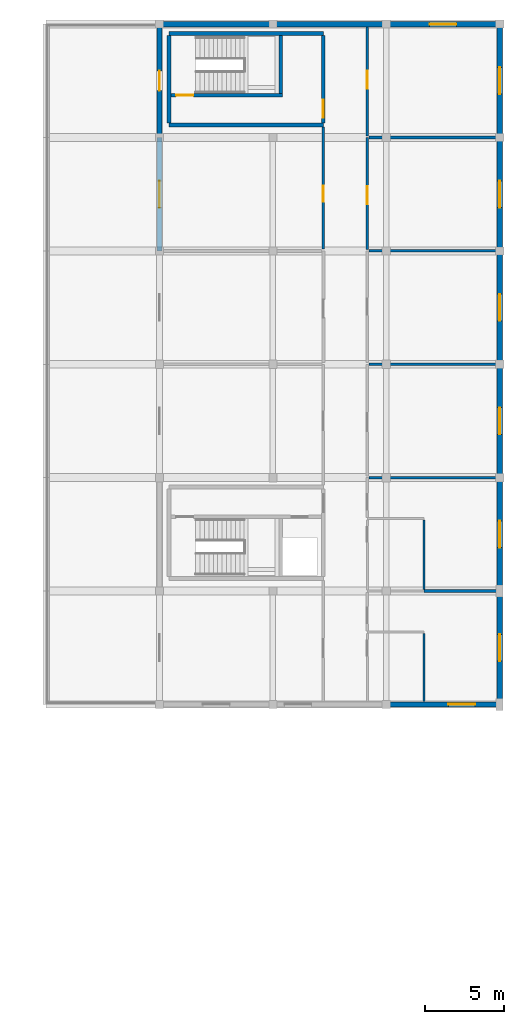
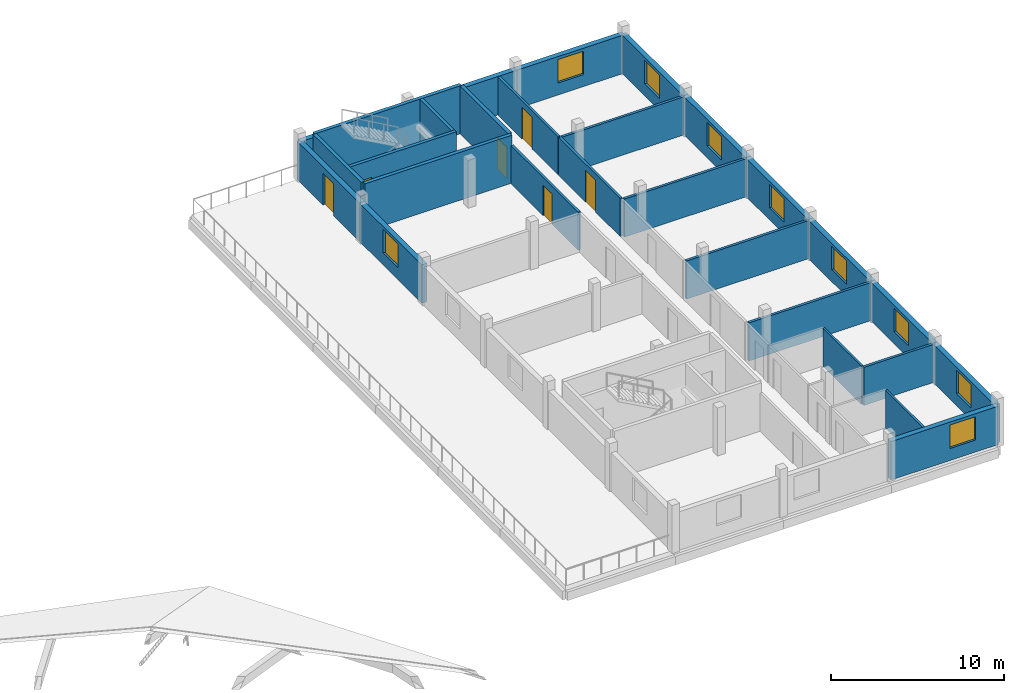
# One storey, part 60 of 66: 28 walls, 9 windows, 6 doors, 15 openings.
"""IFC4 building model written with IfcOpenShell, lengths in metres."""

from ifc_helpers import new_model, si_unit, direction, frame, frame_2d, origin, place, context, subcontext, project, spatial, rectangle, extrude, material, layer, layer_set, type_object, element, fill, save


model = new_model("IFC4")

# Units and contexts
model_context = context("Model", 3, precision=1e-05, world=origin(), true_north=direction((0.0, 1.0)))
body_context = subcontext(model_context, "Body", "Model", "MODEL_VIEW")
ifc_project = project(units=[si_unit("LENGTHUNIT", "METRE"), si_unit("AREAUNIT", "SQUARE_METRE"), si_unit("VOLUMEUNIT", "CUBIC_METRE"), si_unit("PLANEANGLEUNIT", "RADIAN"), si_unit("MASSUNIT", "GRAM", prefix="KILO")], contexts=[model_context])

# Site, building, storey
site_placement = place(None, origin())
site = spatial("IfcSite", under=ifc_project, at=site_placement, CompositionType="ELEMENT")
building_placement = place(site_placement, origin())
building = spatial("IfcBuilding", under=site, at=building_placement, Name="Zornivar Specialist Clinic", CompositionType="ELEMENT")
storey_placement = place(building_placement, frame((0.0, 0.0, 16.0)))
storey = spatial("IfcBuildingStorey", under=building, at=storey_placement, Name="L04", CompositionType="ELEMENT", Elevation=16.0)

# Wall, opening, window
ifc_material_1 = material(Name="Masonry Laboratory Terracotta and Stone Cavity Wall", Category="masonry")
ifc_layer_1 = layer(ifc_material_1, 0.340087890625)
ifc_layer_set_1 = layer_set([ifc_layer_1], Name="Masonry Laboratory Terracotta and Stone Cavity Wall")
wall_type_1 = type_object("IfcWallType", Name="EW-LAB-340", PredefinedType="SOLIDWALL", material=ifc_layer_set_1)
wall_1_placement = place(storey_placement, frame((158.39990234375, 64.800048828125, 0.0), z_axis=(0.0, 0.0, 1.0), x_axis=(1.0, 0.0, 0.0)))
wall_1 = element("IfcWall", 1, at=wall_1_placement, inside=storey, type_object=wall_type_1, Name="ew:V6:L04:02", PredefinedType="SOLIDWALL", context=body_context, shape_type="SweptSolid", body=[
    extrude(rectangle(XDim=7.2001953125, YDim=0.340087890625, at=frame_2d((3.60009765625, 0.0))), origin(), (0.0, 0.0, 1.0), 2.7099609375),
])
opening_1_placement = place(wall_1_placement, frame((3.949951171875, 0.0, 0.85009765625)))
opening_1 = element("IfcOpeningElement", 2, at=opening_1_placement, cuts=wall_1, Name="Opening W-21", PredefinedType="OPENING", context=body_context, shape_type="SweptSolid", body=[
    extrude(rectangle(XDim=1.699951171875, YDim=1.64990234375, at=frame_2d((0.85009765625, 0.824951171875))), frame((0.0, 0.179931640625, 0.0), z_axis=(0.0, -1.0, 0.0), x_axis=(1.0, 0.0, 0.0)), (0.0, 0.0, 1.0), 0.360107421875),
])
ifc_material_2 = material(Name="Triple-Glazed Aluminium-Timber Window Glass", Category="wood")
window_type = type_object("IfcWindowType", Name="WIN-LAB-UPPER-1700x1650", PartitioningType="SINGLE_PANEL", PredefinedType="WINDOW", material=ifc_material_2)
window_1_placement = place(opening_1_placement, origin())
window_1 = element("IfcWindow", 3, at=window_1_placement, inside=storey, type_object=window_type, Name="win:V6:L04:02", OverallHeight=1.64990234375, OverallWidth=1.699951171875, PartitioningType="SINGLE_PANEL", PredefinedType="WINDOW", context=body_context, shape_type="SweptSolid", body=[
    extrude(rectangle(XDim=1.699951171875, YDim=1.64990234375, at=frame_2d((0.85009765625, 0.824951171875))), frame((0.0, 0.030029296875, 0.0), z_axis=(0.0, -1.0, 0.0), x_axis=(1.0, 0.0, 0.0)), (0.0, 0.0, 1.0), 0.06005859375),
])
fill(opening_1, window_1)

wall_2_placement = place(storey_placement, frame((165.60009765625, 64.800048828125, 0.0), z_axis=(0.0, 0.0, 1.0), x_axis=(0.0, 1.0, 0.0)))
wall_2 = element("IfcWall", 4, at=wall_2_placement, inside=storey, type_object=wall_type_1, Name="ew:V6:L04:03", PredefinedType="SOLIDWALL", context=body_context, shape_type="SweptSolid", body=[
    extrude(rectangle(XDim=7.199951171875, YDim=0.340087890625, at=frame_2d((3.60009765625, 0.0))), origin(), (0.0, 0.0, 1.0), 2.7099609375),
])
opening_2_placement = place(wall_2_placement, frame((2.75, 0.0, 0.85009765625)))
opening_2 = element("IfcOpeningElement", 5, at=opening_2_placement, cuts=wall_2, Name="Opening W-21", PredefinedType="OPENING", context=body_context, shape_type="SweptSolid", body=[
    extrude(rectangle(XDim=1.699951171875, YDim=1.64990234375, at=frame_2d((0.85009765625, 0.824951171875))), frame((0.0, 0.179931640625, 0.0), z_axis=(0.0, -1.0, 0.0), x_axis=(1.0, 0.0, 0.0)), (0.0, 0.0, 1.0), 0.360107421875),
])
window_2_placement = place(opening_2_placement, origin())
window_2 = element("IfcWindow", 6, at=window_2_placement, inside=storey, type_object=window_type, Name="win:V6:L04:03", OverallHeight=1.64990234375, OverallWidth=1.699951171875, PartitioningType="SINGLE_PANEL", PredefinedType="WINDOW", context=body_context, shape_type="SweptSolid", body=[
    extrude(rectangle(XDim=1.699951171875, YDim=1.64990234375, at=frame_2d((0.85009765625, 0.824951171875))), frame((0.0, 0.030029296875, 0.0), z_axis=(0.0, -1.0, 0.0), x_axis=(1.0, 0.0, 0.0)), (0.0, 0.0, 1.0), 0.06005859375),
])
fill(opening_2, window_2)

wall_3_placement = place(storey_placement, frame((165.60009765625, 72.0, 0.0), z_axis=(0.0, 0.0, 1.0), x_axis=(0.0, 1.0, 0.0)))
wall_3 = element("IfcWall", 7, at=wall_3_placement, inside=storey, type_object=wall_type_1, Name="ew:V6:L04:04", PredefinedType="SOLIDWALL", context=body_context, shape_type="SweptSolid", body=[
    extrude(rectangle(XDim=7.199951171875, YDim=0.340087890625, at=frame_2d((3.60009765625, 0.0))), origin(), (0.0, 0.0, 1.0), 2.7099609375),
])
opening_3_placement = place(wall_3_placement, frame((2.75, 0.0, 0.85009765625)))
opening_3 = element("IfcOpeningElement", 8, at=opening_3_placement, cuts=wall_3, Name="Opening W-21", PredefinedType="OPENING", context=body_context, shape_type="SweptSolid", body=[
    extrude(rectangle(XDim=1.699951171875, YDim=1.64990234375, at=frame_2d((0.85009765625, 0.824951171875))), frame((0.0, 0.179931640625, 0.0), z_axis=(0.0, -1.0, 0.0), x_axis=(1.0, 0.0, 0.0)), (0.0, 0.0, 1.0), 0.360107421875),
])
window_3_placement = place(opening_3_placement, origin())
window_3 = element("IfcWindow", 9, at=window_3_placement, inside=storey, type_object=window_type, Name="win:V6:L04:04", OverallHeight=1.64990234375, OverallWidth=1.699951171875, PartitioningType="SINGLE_PANEL", PredefinedType="WINDOW", context=body_context, shape_type="SweptSolid", body=[
    extrude(rectangle(XDim=1.699951171875, YDim=1.64990234375, at=frame_2d((0.85009765625, 0.824951171875))), frame((0.0, 0.030029296875, 0.0), z_axis=(0.0, -1.0, 0.0), x_axis=(1.0, 0.0, 0.0)), (0.0, 0.0, 1.0), 0.06005859375),
])
fill(opening_3, window_3)

wall_4_placement = place(storey_placement, frame((165.60009765625, 79.199951171875, 0.0), z_axis=(0.0, 0.0, 1.0), x_axis=(0.0, 1.0, 0.0)))
wall_4 = element("IfcWall", 10, at=wall_4_placement, inside=storey, type_object=wall_type_1, Name="ew:V6:L04:05", PredefinedType="SOLIDWALL", context=body_context, shape_type="SweptSolid", body=[
    extrude(rectangle(XDim=7.199951171875, YDim=0.340087890625, at=frame_2d((3.60009765625, 0.0))), origin(), (0.0, 0.0, 1.0), 2.7099609375),
])
opening_4_placement = place(wall_4_placement, frame((2.75, 0.0, 0.85009765625)))
opening_4 = element("IfcOpeningElement", 11, at=opening_4_placement, cuts=wall_4, Name="Opening W-21", PredefinedType="OPENING", context=body_context, shape_type="SweptSolid", body=[
    extrude(rectangle(XDim=1.699951171875, YDim=1.64990234375, at=frame_2d((0.85009765625, 0.824951171875))), frame((0.0, 0.179931640625, 0.0), z_axis=(0.0, -1.0, 0.0), x_axis=(1.0, 0.0, 0.0)), (0.0, 0.0, 1.0), 0.360107421875),
])
window_4_placement = place(opening_4_placement, origin())
window_4 = element("IfcWindow", 12, at=window_4_placement, inside=storey, type_object=window_type, Name="win:V6:L04:05", OverallHeight=1.64990234375, OverallWidth=1.699951171875, PartitioningType="SINGLE_PANEL", PredefinedType="WINDOW", context=body_context, shape_type="SweptSolid", body=[
    extrude(rectangle(XDim=1.699951171875, YDim=1.64990234375, at=frame_2d((0.85009765625, 0.824951171875))), frame((0.0, 0.030029296875, 0.0), z_axis=(0.0, -1.0, 0.0), x_axis=(1.0, 0.0, 0.0)), (0.0, 0.0, 1.0), 0.06005859375),
])
fill(opening_4, window_4)

wall_5_placement = place(storey_placement, frame((165.60009765625, 86.39990234375, 0.0), z_axis=(0.0, 0.0, 1.0), x_axis=(0.0, 1.0, 0.0)))
wall_5 = element("IfcWall", 13, at=wall_5_placement, inside=storey, type_object=wall_type_1, Name="ew:V6:L04:06", PredefinedType="SOLIDWALL", context=body_context, shape_type="SweptSolid", body=[
    extrude(rectangle(XDim=7.2001953125, YDim=0.340087890625, at=frame_2d((3.60009765625, 0.0))), origin(), (0.0, 0.0, 1.0), 2.7099609375),
])
opening_5_placement = place(wall_5_placement, frame((2.75, 0.0, 0.85009765625)))
opening_5 = element("IfcOpeningElement", 14, at=opening_5_placement, cuts=wall_5, Name="Opening W-21", PredefinedType="OPENING", context=body_context, shape_type="SweptSolid", body=[
    extrude(rectangle(XDim=1.699951171875, YDim=1.64990234375, at=frame_2d((0.85009765625, 0.824951171875))), frame((0.0, 0.179931640625, 0.0), z_axis=(0.0, -1.0, 0.0), x_axis=(1.0, 0.0, 0.0)), (0.0, 0.0, 1.0), 0.360107421875),
])
window_5_placement = place(opening_5_placement, origin())
window_5 = element("IfcWindow", 15, at=window_5_placement, inside=storey, type_object=window_type, Name="win:V6:L04:06", OverallHeight=1.64990234375, OverallWidth=1.699951171875, PartitioningType="SINGLE_PANEL", PredefinedType="WINDOW", context=body_context, shape_type="SweptSolid", body=[
    extrude(rectangle(XDim=1.699951171875, YDim=1.64990234375, at=frame_2d((0.85009765625, 0.824951171875))), frame((0.0, 0.030029296875, 0.0), z_axis=(0.0, -1.0, 0.0), x_axis=(1.0, 0.0, 0.0)), (0.0, 0.0, 1.0), 0.06005859375),
])
fill(opening_5, window_5)

wall_6_placement = place(storey_placement, frame((165.60009765625, 93.60009765625, 0.0), z_axis=(0.0, 0.0, 1.0), x_axis=(0.0, 1.0, 0.0)))
wall_6 = element("IfcWall", 16, at=wall_6_placement, inside=storey, type_object=wall_type_1, Name="ew:V6:L04:07", PredefinedType="SOLIDWALL", context=body_context, shape_type="SweptSolid", body=[
    extrude(rectangle(XDim=7.199951171875, YDim=0.340087890625, at=frame_2d((3.60009765625, 0.0))), origin(), (0.0, 0.0, 1.0), 2.7099609375),
])
opening_6_placement = place(wall_6_placement, frame((2.75, 0.0, 0.85009765625)))
opening_6 = element("IfcOpeningElement", 17, at=opening_6_placement, cuts=wall_6, Name="Opening W-21", PredefinedType="OPENING", context=body_context, shape_type="SweptSolid", body=[
    extrude(rectangle(XDim=1.699951171875, YDim=1.64990234375, at=frame_2d((0.85009765625, 0.824951171875))), frame((0.0, 0.179931640625, 0.0), z_axis=(0.0, -1.0, 0.0), x_axis=(1.0, 0.0, 0.0)), (0.0, 0.0, 1.0), 0.360107421875),
])
window_6_placement = place(opening_6_placement, origin())
window_6 = element("IfcWindow", 18, at=window_6_placement, inside=storey, type_object=window_type, Name="win:V6:L04:07", OverallHeight=1.64990234375, OverallWidth=1.699951171875, PartitioningType="SINGLE_PANEL", PredefinedType="WINDOW", context=body_context, shape_type="SweptSolid", body=[
    extrude(rectangle(XDim=1.699951171875, YDim=1.64990234375, at=frame_2d((0.85009765625, 0.824951171875))), frame((0.0, 0.030029296875, 0.0), z_axis=(0.0, -1.0, 0.0), x_axis=(1.0, 0.0, 0.0)), (0.0, 0.0, 1.0), 0.06005859375),
])
fill(opening_6, window_6)

wall_7_placement = place(storey_placement, frame((165.60009765625, 100.800048828125, 0.0), z_axis=(0.0, 0.0, 1.0), x_axis=(0.0, 1.0, 0.0)))
wall_7 = element("IfcWall", 19, at=wall_7_placement, inside=storey, type_object=wall_type_1, Name="ew:V6:L04:08", PredefinedType="SOLIDWALL", context=body_context, shape_type="SweptSolid", body=[
    extrude(rectangle(XDim=7.199951171875, YDim=0.340087890625, at=frame_2d((3.60009765625, 0.0))), origin(), (0.0, 0.0, 1.0), 2.7099609375),
])
opening_7_placement = place(wall_7_placement, frame((2.75, 0.0, 0.85009765625)))
opening_7 = element("IfcOpeningElement", 20, at=opening_7_placement, cuts=wall_7, Name="Opening W-21", PredefinedType="OPENING", context=body_context, shape_type="SweptSolid", body=[
    extrude(rectangle(XDim=1.699951171875, YDim=1.64990234375, at=frame_2d((0.85009765625, 0.824951171875))), frame((0.0, 0.179931640625, 0.0), z_axis=(0.0, -1.0, 0.0), x_axis=(1.0, 0.0, 0.0)), (0.0, 0.0, 1.0), 0.360107421875),
])
window_7_placement = place(opening_7_placement, origin())
window_7 = element("IfcWindow", 21, at=window_7_placement, inside=storey, type_object=window_type, Name="win:V6:L04:08", OverallHeight=1.64990234375, OverallWidth=1.699951171875, PartitioningType="SINGLE_PANEL", PredefinedType="WINDOW", context=body_context, shape_type="SweptSolid", body=[
    extrude(rectangle(XDim=1.699951171875, YDim=1.64990234375, at=frame_2d((0.85009765625, 0.824951171875))), frame((0.0, 0.030029296875, 0.0), z_axis=(0.0, -1.0, 0.0), x_axis=(1.0, 0.0, 0.0)), (0.0, 0.0, 1.0), 0.06005859375),
])
fill(opening_7, window_7)

wall_8_placement = place(storey_placement, frame((165.60009765625, 108.0, 0.0), z_axis=(0.0, 0.0, 1.0), x_axis=(-1.0, 0.0, 0.0)))
wall_8 = element("IfcWall", 22, at=wall_8_placement, inside=storey, type_object=wall_type_1, Name="ew:V6:L04:09", PredefinedType="SOLIDWALL", context=body_context, shape_type="SweptSolid", body=[
    extrude(rectangle(XDim=7.2001953125, YDim=0.340087890625, at=frame_2d((3.60009765625, 0.0))), origin(), (0.0, 0.0, 1.0), 2.7099609375),
])
opening_8_placement = place(wall_8_placement, frame((2.75, 0.0, 0.85009765625)))
opening_8 = element("IfcOpeningElement", 23, at=opening_8_placement, cuts=wall_8, Name="Opening W-21", PredefinedType="OPENING", context=body_context, shape_type="SweptSolid", body=[
    extrude(rectangle(XDim=1.699951171875, YDim=1.64990234375, at=frame_2d((0.85009765625, 0.824951171875))), frame((0.0, 0.179931640625, 0.0), z_axis=(0.0, -1.0, 0.0), x_axis=(1.0, 0.0, 0.0)), (0.0, 0.0, 1.0), 0.360107421875),
])
window_8_placement = place(opening_8_placement, origin())
window_8 = element("IfcWindow", 24, at=window_8_placement, inside=storey, type_object=window_type, Name="win:V6:L04:09", OverallHeight=1.64990234375, OverallWidth=1.699951171875, PartitioningType="SINGLE_PANEL", PredefinedType="WINDOW", context=body_context, shape_type="SweptSolid", body=[
    extrude(rectangle(XDim=1.699951171875, YDim=1.64990234375, at=frame_2d((0.85009765625, 0.824951171875))), frame((0.0, 0.030029296875, 0.0), z_axis=(0.0, -1.0, 0.0), x_axis=(1.0, 0.0, 0.0)), (0.0, 0.0, 1.0), 0.06005859375),
])
fill(opening_8, window_8)

# Walls
for number, where, z_axis, x_axis, name in (
    (25, (158.39990234375, 108.0, 0.0), (0.0, 0.0, 1.0), (-1.0, 0.0, 0.0), "ew:V6:L04:10"),
    (26, (151.199951171875, 108.0, 0.0), (0.0, 0.0, 1.0), (-1.0, 0.0, 0.0), "ew:V6:L04:11"),
):
    element("IfcWall", number, at=place(storey_placement, frame(where, z_axis=z_axis, x_axis=x_axis)), inside=storey, type_object=wall_type_1, Name=name, PredefinedType="SOLIDWALL", context=body_context, shape_type="SweptSolid", body=[
        extrude(rectangle(XDim=7.199951171875, YDim=0.340087890625, at=frame_2d((3.60009765625, 0.0))), origin(), (0.0, 0.0, 1.0), 2.7099609375),
    ])

# Wall, opening, door
wall_9_placement = place(storey_placement, frame((144.0, 108.0, 0.0), z_axis=(0.0, 0.0, 1.0), x_axis=(0.0, -1.0, 0.0)))
wall_9 = element("IfcWall", 27, at=wall_9_placement, inside=storey, type_object=wall_type_1, Name="ew:V6:L04:12", PredefinedType="SOLIDWALL", context=body_context, shape_type="SweptSolid", body=[
    extrude(rectangle(XDim=7.199951171875, YDim=0.340087890625, at=frame_2d((3.60009765625, 0.0))), origin(), (0.0, 0.0, 1.0), 2.7099609375),
])
opening_9_placement = place(wall_9_placement, frame((2.97509765625, 0.0, 0.0)))
opening_9 = element("IfcOpeningElement", 28, at=opening_9_placement, cuts=wall_9, Name="Opening TD-02", PredefinedType="OPENING", context=body_context, shape_type="SweptSolid", body=[
    extrude(rectangle(XDim=1.25, YDim=2.25, at=frame_2d((0.625, 1.125))), frame((0.0, 0.179931640625, 0.0), z_axis=(0.0, -1.0, 0.0), x_axis=(1.0, 0.0, 0.0)), (0.0, 0.0, 1.0), 0.360107421875),
])
ifc_material_3 = material(Name="Thermally Broken Glazed Aluminium Door", Category="aluminium")
door_type_1 = type_object("IfcDoorType", Name="TD-TERR-1250x2250", OperationType="NOTDEFINED", PredefinedType="DOOR", material=ifc_material_3)
door_1_placement = place(opening_9_placement, origin())
door_1 = element("IfcDoor", 29, at=door_1_placement, inside=storey, type_object=door_type_1, Name="door:V6:L04:terr:0", OperationType="SINGLE_SWING_RIGHT", OverallHeight=2.25, OverallWidth=1.25, PredefinedType="DOOR", context=body_context, shape_type="SweptSolid", body=[
    extrude(rectangle(XDim=1.25, YDim=2.25, at=frame_2d((0.625, 1.125))), frame((0.0, 0.02490234375, 0.0), z_axis=(0.0, -1.0, 0.0), x_axis=(1.0, 0.0, 0.0)), (0.0, 0.0, 1.0), 0.050048828125),
])
fill(opening_9, door_1)

# Wall, opening, window
wall_10_placement = place(storey_placement, frame((144.0, 100.800048828125, 0.0), z_axis=(0.0, 0.0, 1.0), x_axis=(0.0, -1.0, 0.0)))
wall_10 = element("IfcWall", 30, at=wall_10_placement, inside=storey, type_object=wall_type_1, Name="ew:V6:L04:13", PredefinedType="SOLIDWALL", context=body_context, shape_type="SweptSolid", body=[
    extrude(rectangle(XDim=7.199951171875, YDim=0.340087890625, at=frame_2d((3.60009765625, 0.0))), origin(), (0.0, 0.0, 1.0), 2.7099609375),
])
opening_10_placement = place(wall_10_placement, frame((2.75, 0.0, 0.85009765625)))
opening_10 = element("IfcOpeningElement", 31, at=opening_10_placement, cuts=wall_10, Name="Opening W-21", PredefinedType="OPENING", context=body_context, shape_type="SweptSolid", body=[
    extrude(rectangle(XDim=1.699951171875, YDim=1.64990234375, at=frame_2d((0.85009765625, 0.824951171875))), frame((0.0, 0.179931640625, 0.0), z_axis=(0.0, -1.0, 0.0), x_axis=(1.0, 0.0, 0.0)), (0.0, 0.0, 1.0), 0.360107421875),
])
window_9_placement = place(opening_10_placement, origin())
window_9 = element("IfcWindow", 32, at=window_9_placement, inside=storey, type_object=window_type, Name="win:V6:L04:13", OverallHeight=1.64990234375, OverallWidth=1.699951171875, PartitioningType="SINGLE_PANEL", PredefinedType="WINDOW", context=body_context, shape_type="SweptSolid", body=[
    extrude(rectangle(XDim=1.699951171875, YDim=1.64990234375, at=frame_2d((0.85009765625, 0.824951171875))), frame((0.0, 0.030029296875, 0.0), z_axis=(0.0, -1.0, 0.0), x_axis=(1.0, 0.0, 0.0)), (0.0, 0.0, 1.0), 0.06005859375),
])
fill(opening_10, window_9)

# Wall, opening, door
ifc_material_4 = material(Name="Gypsum Fire-Rated Double Stud Partition")
ifc_layer_2 = layer(ifc_material_4, 0.159912109375)
ifc_layer_set_2 = layer_set([ifc_layer_2], Name="Gypsum Fire-Rated Double Stud Partition")
wall_type_2 = type_object("IfcWallType", Name="IW-CORR-EI60-160", PredefinedType="PARTITIONING", material=ifc_layer_set_2)
wall_11_placement = place(storey_placement, frame((154.39990234375, 101.465087890625, 0.0), z_axis=(0.0, 0.0, 1.0), x_axis=(0.0, -1.0, 0.0)))
wall_11 = element("IfcWall", 33, at=wall_11_placement, inside=storey, type_object=wall_type_2, Name="iw:L04:059", PredefinedType="PARTITIONING", context=body_context, shape_type="SweptSolid", body=[
    extrude(rectangle(XDim=7.756103515625, YDim=0.159912109375, at=frame_2d((3.8779296875, 0.0))), origin(), (0.0, 0.0, 1.0), 2.68994140625),
])
opening_11_placement = place(wall_11_placement, frame((3.715087890625, 0.0, 0.0)))
opening_11 = element("IfcOpeningElement", 34, at=opening_11_placement, cuts=wall_11, Name="Opening ID-14", PredefinedType="OPENING", context=body_context, shape_type="SweptSolid", body=[
    extrude(rectangle(XDim=1.02001953125, YDim=2.14990234375, at=frame_2d((0.510009765625, 1.074951171875))), frame((0.0, 0.08984375, 0.0), z_axis=(0.0, -1.0, 0.0), x_axis=(1.0, 0.0, 0.0)), (0.0, 0.0, 1.0), 0.179931640625),
])
ifc_material_5 = material(Name="Solid-Core Hygienic Laminate Timber Door", Category="wood")
door_type_2 = type_object("IfcDoorType", Name="ID-OFFICE-1020x2150", OperationType="NOTDEFINED", PredefinedType="DOOR", material=ifc_material_5)
door_2_placement = place(opening_11_placement, origin())
door_2 = element("IfcDoor", 35, at=door_2_placement, inside=storey, type_object=door_type_2, Name="door:space:V6:L04:rm:03", OperationType="SINGLE_SWING_RIGHT", OverallHeight=2.14990234375, OverallWidth=1.02001953125, PredefinedType="DOOR", context=body_context, shape_type="SweptSolid", body=[
    extrude(rectangle(XDim=1.02001953125, YDim=2.14990234375, at=frame_2d((0.510009765625, 1.074951171875))), frame((0.0, 0.02490234375, 0.0), z_axis=(0.0, -1.0, 0.0), x_axis=(1.0, 0.0, 0.0)), (0.0, 0.0, 1.0), 0.050048828125),
])
fill(opening_11, door_2)

wall_12_placement = place(storey_placement, frame((157.199951171875, 93.698974609375, 0.0), z_axis=(0.0, 0.0, 1.0), x_axis=(0.0, 1.0, 0.0)))
wall_12 = element("IfcWall", 36, at=wall_12_placement, inside=storey, type_object=wall_type_2, Name="iw:L04:075", PredefinedType="PARTITIONING", context=body_context, shape_type="SweptSolid", body=[
    extrude(rectangle(XDim=7.10107421875, YDim=0.159912109375, at=frame_2d((3.550537109375, 0.0))), origin(), (0.0, 0.0, 1.0), 2.68994140625),
])
opening_12_placement = place(wall_12_placement, frame((2.85693359375, 0.0, 0.0)))
opening_12 = element("IfcOpeningElement", 37, at=opening_12_placement, cuts=wall_12, Name="Opening ID-06", PredefinedType="OPENING", context=body_context, shape_type="SweptSolid", body=[
    extrude(rectangle(XDim=1.14990234375, YDim=2.25, at=frame_2d((0.574951171875, 1.125))), frame((0.0, 0.08984375, 0.0), z_axis=(0.0, -1.0, 0.0), x_axis=(1.0, 0.0, 0.0)), (0.0, 0.0, 1.0), 0.179931640625),
])
ifc_material_6 = material(Name="Solid-Core Hygienic Laminate Timber Door", Category="wood")
door_type_3 = type_object("IfcDoorType", Name="ID-LAB-1150x2250", OperationType="NOTDEFINED", PredefinedType="DOOR", material=ifc_material_6)
door_3_placement = place(opening_12_placement, origin())
door_3 = element("IfcDoor", 38, at=door_3_placement, inside=storey, type_object=door_type_3, Name="door:space:V6:L04:rm:10", OperationType="SINGLE_SWING_LEFT", OverallHeight=2.25, OverallWidth=1.14990234375, PredefinedType="DOOR", context=body_context, shape_type="SweptSolid", body=[
    extrude(rectangle(XDim=1.14990234375, YDim=2.25, at=frame_2d((0.574951171875, 1.125))), frame((0.0, 0.02490234375, 0.0), z_axis=(0.0, -1.0, 0.0), x_axis=(1.0, 0.0, 0.0)), (0.0, 0.0, 1.0), 0.050048828125),
])
fill(opening_12, door_3)

wall_13_placement = place(storey_placement, frame((157.199951171875, 100.89892578125, 0.0), z_axis=(0.0, 0.0, 1.0), x_axis=(0.0, 1.0, 0.0)))
wall_13 = element("IfcWall", 39, at=wall_13_placement, inside=storey, type_object=wall_type_2, Name="iw:L04:077", PredefinedType="PARTITIONING", context=body_context, shape_type="SweptSolid", body=[
    extrude(rectangle(XDim=6.916015625, YDim=0.159912109375, at=frame_2d((3.4580078125, 0.0))), origin(), (0.0, 0.0, 1.0), 2.68994140625),
])
opening_13_placement = place(wall_13_placement, frame((2.9970703125, 0.0, 0.0)))
opening_13 = element("IfcOpeningElement", 40, at=opening_13_placement, cuts=wall_13, Name="Opening ID-06", PredefinedType="OPENING", context=body_context, shape_type="SweptSolid", body=[
    extrude(rectangle(XDim=1.14990234375, YDim=2.25, at=frame_2d((0.574951171875, 1.125))), frame((0.0, 0.08984375, 0.0), z_axis=(0.0, -1.0, 0.0), x_axis=(1.0, 0.0, 0.0)), (0.0, 0.0, 1.0), 0.179931640625),
])
door_4_placement = place(opening_13_placement, origin())
door_4 = element("IfcDoor", 41, at=door_4_placement, inside=storey, type_object=door_type_3, Name="door:space:V6:L04:rm:11", OperationType="SINGLE_SWING_RIGHT", OverallHeight=2.25, OverallWidth=1.14990234375, PredefinedType="DOOR", context=body_context, shape_type="SweptSolid", body=[
    extrude(rectangle(XDim=1.14990234375, YDim=2.25, at=frame_2d((0.574951171875, 1.125))), frame((0.0, 0.02490234375, 0.0), z_axis=(0.0, -1.0, 0.0), x_axis=(1.0, 0.0, 0.0)), (0.0, 0.0, 1.0), 0.050048828125),
])
fill(opening_13, door_4)

# Walls
ifc_material_7 = material(Name="Laboratory Chemical-Resistant Stud Partition")
ifc_layer_3 = layer(ifc_material_7, 0.169921875)
ifc_layer_set_3 = layer_set([ifc_layer_3], Name="Laboratory Chemical-Resistant Stud Partition")
wall_type_3 = type_object("IfcWallType", Name="IW-LAB-EI60-170", PredefinedType="PARTITIONING", material=ifc_layer_set_3)
wall_14_placement = place(storey_placement, frame((160.81201171875, 72.0, 0.0), z_axis=(0.0, 0.0, 1.0), x_axis=(1.0, 0.0, 0.0)))
element("IfcWall", 42, at=wall_14_placement, inside=storey, type_object=wall_type_3, Name="iw:L04:064", PredefinedType="PARTITIONING", context=body_context, shape_type="SweptSolid", body=[
    extrude(rectangle(XDim=4.60302734375, YDim=0.169921875, at=frame_2d((2.301513671875, 0.0))), origin(), (0.0, 0.0, 1.0), 2.68994140625),
])
for number, where, z_axis, x_axis, name in (
    (43, (157.2939453125, 79.199951171875, 0.0), (0.0, 0.0, 1.0), (1.0, 0.0, 0.0), "iw:L04:070"),
    (44, (157.2939453125, 86.39990234375, 0.0), (0.0, 0.0, 1.0), (1.0, 0.0, 0.0), "iw:L04:072"),
    (45, (157.2939453125, 93.60009765625, 0.0), (0.0, 0.0, 1.0), (1.0, 0.0, 0.0), "iw:L04:074"),
    (46, (157.2939453125, 100.800048828125, 0.0), (0.0, 0.0, 1.0), (1.0, 0.0, 0.0), "iw:L04:076"),
):
    element("IfcWall", number, at=place(storey_placement, frame(where, z_axis=z_axis, x_axis=x_axis)), inside=storey, type_object=wall_type_3, Name=name, PredefinedType="PARTITIONING", context=body_context, shape_type="SweptSolid", body=[
        extrude(rectangle(XDim=8.12109375, YDim=0.169921875, at=frame_2d((4.060546875, 0.0))), origin(), (0.0, 0.0, 1.0), 2.68994140625),
    ])
ifc_material_8 = material(Name="Moisture-Resistant Sanitary Partition")
ifc_layer_4 = layer(ifc_material_8, 0.1298828125)
ifc_layer_set_4 = layer_set([ifc_layer_4], Name="Moisture-Resistant Sanitary Partition")
wall_type_4 = type_object("IfcWallType", Name="IW-WET-130", PredefinedType="PARTITIONING", material=ifc_layer_set_4)
wall_15_placement = place(storey_placement, frame((160.800048828125, 69.321044921875, 0.0), z_axis=(0.0, 0.0, 1.0), x_axis=(0.0, -1.0, 0.0)))
element("IfcWall", 47, at=wall_15_placement, inside=storey, type_object=wall_type_4, Name="iw:L04:061", PredefinedType="PARTITIONING", context=body_context, shape_type="SweptSolid", body=[
    extrude(rectangle(XDim=4.3359375, YDim=0.1298828125, at=frame_2d((2.16796875, 0.0))), origin(), (0.0, 0.0, 1.0), 2.68994140625),
])
wall_16_placement = place(storey_placement, frame((160.800048828125, 76.52099609375, 0.0), z_axis=(0.0, 0.0, 1.0), x_axis=(0.0, -1.0, 0.0)))
element("IfcWall", 48, at=wall_16_placement, inside=storey, type_object=wall_type_4, Name="iw:L04:067", PredefinedType="PARTITIONING", context=body_context, shape_type="SweptSolid", body=[
    extrude(rectangle(XDim=4.421875, YDim=0.1298828125, at=frame_2d((2.2109375, 0.0))), origin(), (0.0, 0.0, 1.0), 2.68994140625),
])
ifc_material_9 = material(Name="Concrete C35/45", Category="concrete")
ifc_layer_5 = layer(ifc_material_9, 0.239990234375)
ifc_layer_set_5 = layer_set([ifc_layer_5], Name="Concrete C35/45")
wall_type_5 = type_object("IfcWallType", Name="SW-CORE-240", PredefinedType="SHEAR", material=ifc_layer_set_5)
wall_17_placement = place(storey_placement, frame((144.60009765625, 101.60009765625, 0.0), z_axis=(0.0, 0.0, 1.0), x_axis=(1.0, 0.0, 0.0)))
element("IfcWall", 49, at=wall_17_placement, inside=storey, type_object=wall_type_5, Name="sw:C10:L04:w0", PredefinedType="SHEAR", context=body_context, shape_type="SweptSolid", body=[
    extrude(rectangle(XDim=9.7998046875, YDim=0.239990234375, at=frame_2d((4.89990234375, 0.0))), origin(), (0.0, 0.0, 1.0), 3.3798828125),
])

# Wall, opening, door
wall_18_placement = place(storey_placement, frame((154.39990234375, 101.719970703125, 0.0), z_axis=(0.0, 0.0, 1.0), x_axis=(0.0, 1.0, 0.0)))
wall_18 = element("IfcWall", 50, at=wall_18_placement, inside=storey, type_object=wall_type_5, Name="sw:C10:L04:w1", PredefinedType="SHEAR", context=body_context, shape_type="SweptSolid", body=[
    extrude(rectangle(XDim=5.56005859375, YDim=0.239990234375, at=frame_2d((2.780029296875, 0.0))), origin(), (0.0, 0.0, 1.0), 3.3798828125),
])
opening_14_placement = place(wall_18_placement, frame((0.320068359375, 0.0, 0.0)))
opening_14 = element("IfcOpeningElement", 51, at=opening_14_placement, cuts=wall_18, Name="Opening FD-03", PredefinedType="OPENING", context=body_context, shape_type="SweptSolid", body=[
    extrude(rectangle(XDim=1.14990234375, YDim=2.199951171875, at=frame_2d((0.574951171875, 1.10009765625))), frame((0.0, 0.1298828125, 0.0), z_axis=(0.0, -1.0, 0.0), x_axis=(1.0, 0.0, 0.0)), (0.0, 0.0, 1.0), 0.260009765625),
])
ifc_material_10 = material(Name="Solid-Core Hygienic Laminate Timber Door", Category="wood")
door_type_4 = type_object("IfcDoorType", Name="FD-LOBBY-UPPER-1150x2200", OperationType="NOTDEFINED", PredefinedType="DOOR", material=ifc_material_10)
door_5_placement = place(opening_14_placement, origin())
door_5 = element("IfcDoor", 52, at=door_5_placement, inside=storey, type_object=door_type_4, Name="door:C10:L04:lob", OperationType="SINGLE_SWING_RIGHT", OverallHeight=2.199951171875, OverallWidth=1.14990234375, PredefinedType="DOOR", context=body_context, shape_type="SweptSolid", body=[
    extrude(rectangle(XDim=1.14990234375, YDim=2.199951171875, at=frame_2d((0.574951171875, 1.10009765625))), frame((0.0, 0.02490234375, 0.0), z_axis=(0.0, -1.0, 0.0), x_axis=(1.0, 0.0, 0.0)), (0.0, 0.0, 1.0), 0.050048828125),
])
fill(opening_14, door_5)

# Walls
wall_19_placement = place(storey_placement, frame((154.39990234375, 107.39990234375, 0.0), z_axis=(0.0, 0.0, 1.0), x_axis=(-1.0, 0.0, 0.0)))
element("IfcWall", 53, at=wall_19_placement, inside=storey, type_object=wall_type_5, Name="sw:C10:L04:w2", PredefinedType="SHEAR", context=body_context, shape_type="SweptSolid", body=[
    extrude(rectangle(XDim=9.7998046875, YDim=0.239990234375, at=frame_2d((4.89990234375, 0.0))), origin(), (0.0, 0.0, 1.0), 3.3798828125),
])
wall_20_placement = place(storey_placement, frame((144.60009765625, 107.280029296875, 0.0), z_axis=(0.0, 0.0, 1.0), x_axis=(0.0, -1.0, 0.0)))
element("IfcWall", 54, at=wall_20_placement, inside=storey, type_object=wall_type_5, Name="sw:C10:L04:w3", PredefinedType="SHEAR", context=body_context, shape_type="SweptSolid", body=[
    extrude(rectangle(XDim=5.56005859375, YDim=0.239990234375, at=frame_2d((2.780029296875, 0.0))), origin(), (0.0, 0.0, 1.0), 3.3798828125),
])
ifc_material_11 = material(Name="Concrete C30/37", Category="concrete")
ifc_layer_6 = layer(ifc_material_11, 0.199951171875)
ifc_layer_set_6 = layer_set([ifc_layer_6], Name="Concrete C30/37")
wall_type_6 = type_object("IfcWallType", Name="SW-LIFT-200", PredefinedType="SHEAR", material=ifc_layer_set_6)
wall_21_placement = place(storey_placement, frame((151.699951171875, 103.60009765625, 0.0), z_axis=(0.0, 0.0, 1.0), x_axis=(0.0, 1.0, 0.0)))
element("IfcWall", 55, at=wall_21_placement, inside=storey, type_object=wall_type_6, Name="sw:C10:L04:sdiv", PredefinedType="SHEAR", context=body_context, shape_type="SweptSolid", body=[
    extrude(rectangle(XDim=3.679931640625, YDim=0.199951171875, at=frame_2d((1.83984375, 0.0))), origin(), (0.0, 0.0, 1.0), 3.3798828125),
])

# Wall, opening, door
ifc_material_12 = material(Name="Concrete C30/37", Category="concrete")
ifc_layer_7 = layer(ifc_material_12, 0.219970703125)
ifc_layer_set_7 = layer_set([ifc_layer_7], Name="Concrete C30/37")
wall_type_7 = type_object("IfcWallType", Name="SW-SHAFT-220", PredefinedType="SHEAR", material=ifc_layer_set_7)
wall_22_placement = place(storey_placement, frame((144.719970703125, 103.489990234375, 0.0), z_axis=(0.0, 0.0, 1.0), x_axis=(1.0, 0.0, 0.0)))
wall_22 = element("IfcWall", 56, at=wall_22_placement, inside=storey, type_object=wall_type_7, Name="sw:C10:L04:stwall", PredefinedType="SHEAR", context=body_context, shape_type="SweptSolid", body=[
    extrude(rectangle(XDim=7.080078125, YDim=0.219970703125, at=frame_2d((3.5400390625, 0.0))), origin(), (0.0, 0.0, 1.0), 3.3798828125),
])
opening_15_placement = place(wall_22_placement, frame((0.330078125, 0.0, 0.0)))
opening_15 = element("IfcOpeningElement", 57, at=opening_15_placement, cuts=wall_22, Name="Opening FD-02", PredefinedType="OPENING", context=body_context, shape_type="SweptSolid", body=[
    extrude(rectangle(XDim=1.10009765625, YDim=2.14990234375, at=frame_2d((0.550048828125, 1.074951171875))), frame((0.0, 0.119873046875, 0.0), z_axis=(0.0, -1.0, 0.0), x_axis=(1.0, 0.0, 0.0)), (0.0, 0.0, 1.0), 0.239990234375),
])
ifc_material_13 = material(Name="Solid-Core Hygienic Laminate Timber Door", Category="wood")
door_type_5 = type_object("IfcDoorType", Name="FD-STAIR-1100x2150", OperationType="NOTDEFINED", PredefinedType="DOOR", material=ifc_material_13)
door_6_placement = place(opening_15_placement, origin())
door_6 = element("IfcDoor", 58, at=door_6_placement, inside=storey, type_object=door_type_5, Name="door:C10:L04:stair", OperationType="SINGLE_SWING_LEFT", OverallHeight=2.14990234375, OverallWidth=1.10009765625, PredefinedType="DOOR", context=body_context, shape_type="SweptSolid", body=[
    extrude(rectangle(XDim=1.10009765625, YDim=2.14990234375, at=frame_2d((0.550048828125, 1.074951171875))), frame((0.0, 0.02490234375, 0.0), z_axis=(0.0, -1.0, 0.0), x_axis=(1.0, 0.0, 0.0)), (0.0, 0.0, 1.0), 0.050048828125),
])
fill(opening_15, door_6)

save(model, "model.ifc")
